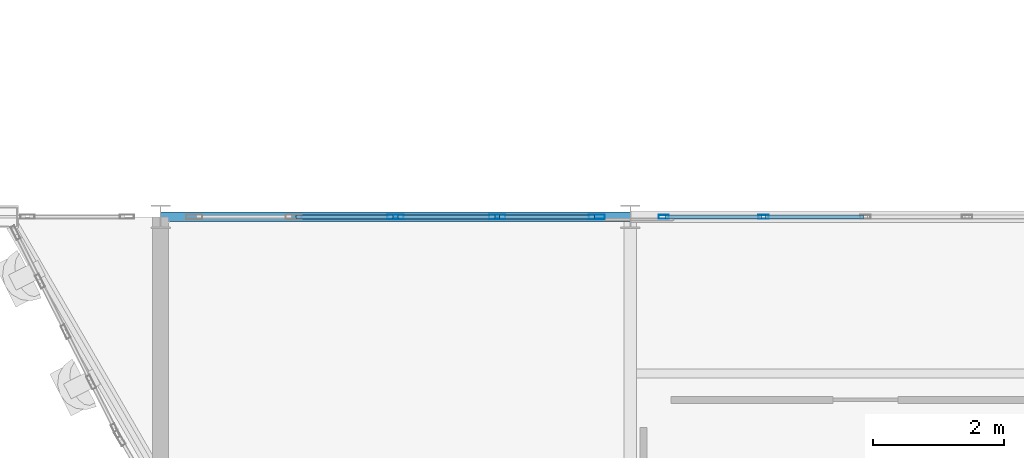
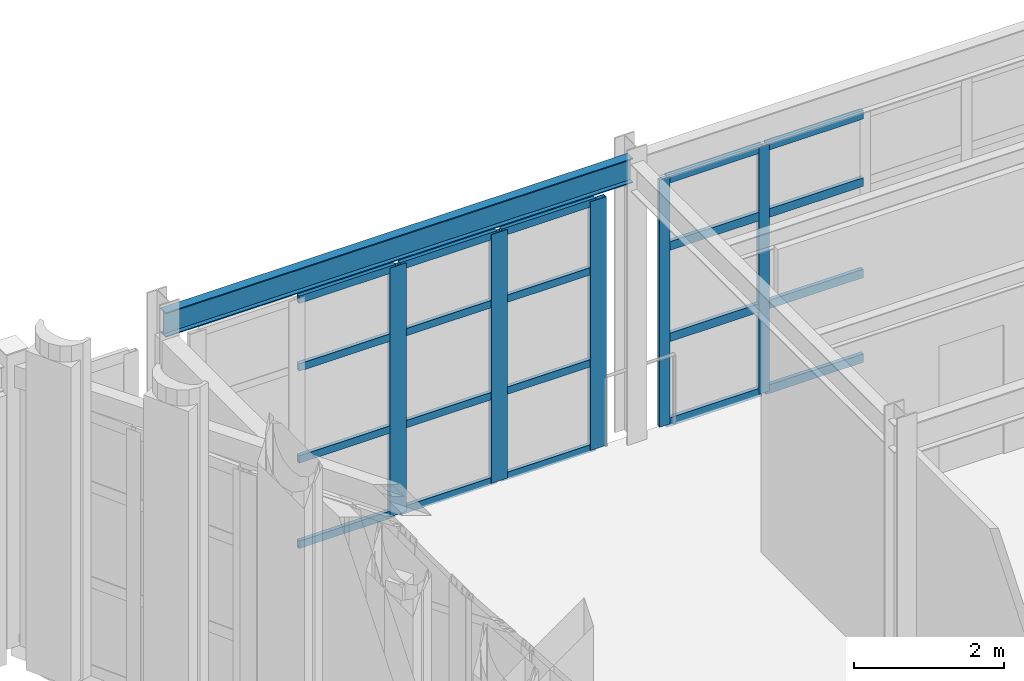
# One storey, part 30 of 126: 25 members, 1 beam, 2 elements without a shape of their own.
"""IFC4 building model written with IfcOpenShell, lengths in metres."""

from ifc_helpers import new_model, si_unit, direction, frame, origin, origin_2d, place, context, subcontext, project, spatial, hollow_rectangle, i_section, extrude, material, layer, layer_set, material_profile, profile_set, type_object, element, aggregate, save


model = new_model("IFC4")

# Units and contexts
model_context = context("Model", 3, precision=1e-05, world=origin(), true_north=direction((0.0, 1.0)))
body_context = subcontext(model_context, "Body", "Model", "MODEL_VIEW")
ifc_project = project(units=[si_unit("LENGTHUNIT", "METRE"), si_unit("AREAUNIT", "SQUARE_METRE"), si_unit("VOLUMEUNIT", "CUBIC_METRE"), si_unit("PLANEANGLEUNIT", "RADIAN"), si_unit("MASSUNIT", "GRAM", prefix="KILO")], contexts=[model_context])

# Site, building, storey
site_placement = place(None, origin())
site = spatial("IfcSite", under=ifc_project, at=site_placement, CompositionType="ELEMENT")
building_placement = place(site_placement, origin())
building = spatial("IfcBuilding", under=site, at=building_placement, Name="Solvadek Multi-Sports Hall", CompositionType="ELEMENT")
storey_placement = place(building_placement, frame((0.0, 0.0, 9.60009765625)))
storey = spatial("IfcBuildingStorey", under=building, at=storey_placement, Name="L02", CompositionType="ELEMENT", Elevation=9.60009765625)

# Curtain wall, members
ifc_material_1 = material(Name="Anodised aluminium", Category="aluminium")
ifc_layer_1 = layer(ifc_material_1, 0.159912109375, Name="Anodised aluminium")
ifc_layer_set_1 = layer_set([ifc_layer_1], Name="Anodised aluminium")
curtain_wall_type_1 = type_object("IfcCurtainWallType", Name="ENV-CW-624X403", PredefinedType="USERDEFINED", material=ifc_layer_set_1)
curtain_wall_1_placement = place(storey_placement, origin())
curtain_wall_1 = element("IfcCurtainWall", 1, at=curtain_wall_1_placement, inside=storey, type_object=curtain_wall_type_1, Name="L02 Perimeter Bay Curtain Wall #165", ObjectType="CURTAIN WALL", PredefinedType="USERDEFINED")
ifc_material_profile_1 = material_profile(ifc_material_1, hollow_rectangle(XDim=0.06005859375, YDim=0.159912109375, WallThickness=0.00390625, at=origin_2d()), Name="ALU-M 160x60x4")
ifc_profile_set_1 = profile_set([ifc_material_profile_1], Name="Anodised aluminium")
member_type_1 = type_object("IfcMemberType", Name="ENV-CWM-01", PredefinedType="MULLION", material=ifc_profile_set_1)
member_1_placement = place(storey_placement, frame((36.510009765625, 20.39990234375, 0.0), z_axis=(0.0, 0.0, 1.0), x_axis=(0.0, 1.0, 0.0)))
member_1 = element("IfcMember", 2, at=member_1_placement, type_object=member_type_1, Name="CW-43 mullion 1", PredefinedType="MULLION", context=body_context, shape_type="SweptSolid", body=[
    extrude(hollow_rectangle(XDim=0.06005859375, YDim=0.159912109375, WallThickness=0.00390625, at=origin_2d()), origin(), (0.0, 0.0, 1.0), 4.02490234375),
])
member_2_placement = place(storey_placement, frame((38.0400390625, 20.39990234375, 0.0), z_axis=(0.0, 0.0, 1.0), x_axis=(0.0, 1.0, 0.0)))
member_2 = element("IfcMember", 3, at=member_2_placement, type_object=member_type_1, Name="CW-43 mullion 2", PredefinedType="MULLION", context=body_context, shape_type="SweptSolid", body=[
    extrude(hollow_rectangle(XDim=0.06005859375, YDim=0.159912109375, WallThickness=0.00390625, at=origin_2d()), origin(), (0.0, 0.0, 1.0), 4.02490234375),
])

ifc_layer_2 = layer(ifc_material_1, 0.159912109375, Name="Anodised aluminium")
ifc_layer_set_2 = layer_set([ifc_layer_2], Name="Anodised aluminium")
curtain_wall_type_2 = type_object("IfcCurtainWallType", Name="ENV-CW-624X405", PredefinedType="USERDEFINED", material=ifc_layer_set_2)
curtain_wall_2_placement = place(storey_placement, origin())
curtain_wall_2 = element("IfcCurtainWall", 4, at=curtain_wall_2_placement, inside=storey, type_object=curtain_wall_type_2, Name="L02 Perimeter Bay Curtain Wall #160", ObjectType="CURTAIN WALL", PredefinedType="USERDEFINED")
ifc_material_profile_2 = material_profile(ifc_material_1, hollow_rectangle(XDim=0.070068359375, YDim=0.25, WallThickness=0.0048828125, at=origin_2d()), Name="ALU-M 250x70x5")
ifc_profile_set_2 = profile_set([ifc_material_profile_2], Name="Anodised aluminium")
member_type_2 = type_object("IfcMemberType", Name="ENV-CWM-05", PredefinedType="MULLION", material=ifc_profile_set_2)
member_3_placement = place(storey_placement, frame((32.39990234375, 20.39990234375, 0.0), z_axis=(0.0, 0.0, 1.0), x_axis=(0.0, 1.0, 0.0)))
member_3 = element("IfcMember", 5, at=member_3_placement, type_object=member_type_2, Name="CW-52 mullion 3", PredefinedType="MULLION", context=body_context, shape_type="SweptSolid", body=[
    extrude(hollow_rectangle(XDim=0.070068359375, YDim=0.25, WallThickness=0.0048828125, at=origin_2d()), origin(), (0.0, 0.0, 1.0), 4.0498046875),
])
member_4_placement = place(storey_placement, frame((33.9599609375, 20.39990234375, 0.0), z_axis=(0.0, 0.0, 1.0), x_axis=(0.0, 1.0, 0.0)))
member_4 = element("IfcMember", 6, at=member_4_placement, type_object=member_type_2, Name="CW-52 mullion 4", PredefinedType="MULLION", context=body_context, shape_type="SweptSolid", body=[
    extrude(hollow_rectangle(XDim=0.070068359375, YDim=0.25, WallThickness=0.0048828125, at=origin_2d()), origin(), (0.0, 0.0, 1.0), 4.0498046875),
])
member_5_placement = place(storey_placement, frame((35.485107421875, 20.39990234375, 0.0), z_axis=(0.0, 0.0, 1.0), x_axis=(0.0, 1.0, 0.0)))
member_5 = element("IfcMember", 7, at=member_5_placement, type_object=member_type_2, Name="CW-52 mullion 5", PredefinedType="MULLION", context=body_context, shape_type="SweptSolid", body=[
    extrude(hollow_rectangle(XDim=0.070068359375, YDim=0.25, WallThickness=0.0048828125, at=origin_2d()), origin(), (0.0, 0.0, 1.0), 4.0498046875),
])
ifc_material_profile_3 = material_profile(ifc_material_1, hollow_rectangle(XDim=0.06005859375, YDim=0.1201171875, WallThickness=0.00390625, at=origin_2d()), Name="ALU-T 120x60x4")
ifc_profile_set_3 = profile_set([ifc_material_profile_3], Name="Anodised aluminium")
member_type_3 = type_object("IfcMemberType", Name="ENV-CWT-01", PredefinedType="USERDEFINED", material=ifc_profile_set_3)
member_6_placement = place(storey_placement, frame((30.875, 20.39990234375, 0.02978515625), z_axis=(1.0, 0.0, 0.0), x_axis=(0.0, 1.0, 0.0)))
member_6 = element("IfcMember", 8, at=member_6_placement, type_object=member_type_3, Name="CW-52 transom 2.1", ObjectType="TRANSOM", PredefinedType="USERDEFINED", context=body_context, shape_type="SweptSolid", body=[
    extrude(hollow_rectangle(XDim=0.06005859375, YDim=0.1201171875, WallThickness=0.00390625, at=origin_2d()), origin(), (0.0, 0.0, 1.0), 1.489990234375),
])
member_7_placement = place(storey_placement, frame((30.875, 20.39990234375, 1.41796875), z_axis=(1.0, 0.0, 0.0), x_axis=(0.0, 1.0, 0.0)))
member_7 = element("IfcMember", 9, at=member_7_placement, type_object=member_type_3, Name="CW-52 transom 2.2", ObjectType="TRANSOM", PredefinedType="USERDEFINED", context=body_context, shape_type="SweptSolid", body=[
    extrude(hollow_rectangle(XDim=0.06005859375, YDim=0.1201171875, WallThickness=0.00390625, at=origin_2d()), origin(), (0.0, 0.0, 1.0), 1.489990234375),
])
member_8_placement = place(storey_placement, frame((30.875, 20.39990234375, 2.916015625), z_axis=(1.0, 0.0, 0.0), x_axis=(0.0, 1.0, 0.0)))
member_8 = element("IfcMember", 10, at=member_8_placement, type_object=member_type_3, Name="CW-52 transom 2.3", ObjectType="TRANSOM", PredefinedType="USERDEFINED", context=body_context, shape_type="SweptSolid", body=[
    extrude(hollow_rectangle(XDim=0.06005859375, YDim=0.1201171875, WallThickness=0.00390625, at=origin_2d()), origin(), (0.0, 0.0, 1.0), 1.489990234375),
])
member_9_placement = place(storey_placement, frame((30.875, 20.39990234375, 4.02001953125), z_axis=(1.0, 0.0, 0.0), x_axis=(0.0, 1.0, 0.0)))
member_9 = element("IfcMember", 11, at=member_9_placement, type_object=member_type_3, Name="CW-52 transom 2.4", ObjectType="TRANSOM", PredefinedType="USERDEFINED", context=body_context, shape_type="SweptSolid", body=[
    extrude(hollow_rectangle(XDim=0.06005859375, YDim=0.1201171875, WallThickness=0.00390625, at=origin_2d()), origin(), (0.0, 0.0, 1.0), 1.489990234375),
])
member_10_placement = place(storey_placement, frame((32.43505859375, 20.39990234375, 0.02978515625), z_axis=(1.0, 0.0, 0.0), x_axis=(0.0, 1.0, 0.0)))
member_10 = element("IfcMember", 12, at=member_10_placement, type_object=member_type_3, Name="CW-52 transom 3.1", ObjectType="TRANSOM", PredefinedType="USERDEFINED", context=body_context, shape_type="SweptSolid", body=[
    extrude(hollow_rectangle(XDim=0.06005859375, YDim=0.1201171875, WallThickness=0.00390625, at=origin_2d()), origin(), (0.0, 0.0, 1.0), 1.489990234375),
])
member_11_placement = place(storey_placement, frame((32.43505859375, 20.39990234375, 1.41796875), z_axis=(1.0, 0.0, 0.0), x_axis=(0.0, 1.0, 0.0)))
member_11 = element("IfcMember", 13, at=member_11_placement, type_object=member_type_3, Name="CW-52 transom 3.2", ObjectType="TRANSOM", PredefinedType="USERDEFINED", context=body_context, shape_type="SweptSolid", body=[
    extrude(hollow_rectangle(XDim=0.06005859375, YDim=0.1201171875, WallThickness=0.00390625, at=origin_2d()), origin(), (0.0, 0.0, 1.0), 1.489990234375),
])
member_12_placement = place(storey_placement, frame((32.43505859375, 20.39990234375, 2.916015625), z_axis=(1.0, 0.0, 0.0), x_axis=(0.0, 1.0, 0.0)))
member_12 = element("IfcMember", 14, at=member_12_placement, type_object=member_type_3, Name="CW-52 transom 3.3", ObjectType="TRANSOM", PredefinedType="USERDEFINED", context=body_context, shape_type="SweptSolid", body=[
    extrude(hollow_rectangle(XDim=0.06005859375, YDim=0.1201171875, WallThickness=0.00390625, at=origin_2d()), origin(), (0.0, 0.0, 1.0), 1.489990234375),
])
member_13_placement = place(storey_placement, frame((32.43505859375, 20.39990234375, 4.02001953125), z_axis=(1.0, 0.0, 0.0), x_axis=(0.0, 1.0, 0.0)))
member_13 = element("IfcMember", 15, at=member_13_placement, type_object=member_type_3, Name="CW-52 transom 3.4", ObjectType="TRANSOM", PredefinedType="USERDEFINED", context=body_context, shape_type="SweptSolid", body=[
    extrude(hollow_rectangle(XDim=0.06005859375, YDim=0.1201171875, WallThickness=0.00390625, at=origin_2d()), origin(), (0.0, 0.0, 1.0), 1.489990234375),
])
member_14_placement = place(storey_placement, frame((33.9951171875, 20.39990234375, 0.02978515625), z_axis=(1.0, 0.0, 0.0), x_axis=(0.0, 1.0, 0.0)))
member_14 = element("IfcMember", 16, at=member_14_placement, type_object=member_type_3, Name="CW-52 transom 4.1", ObjectType="TRANSOM", PredefinedType="USERDEFINED", context=body_context, shape_type="SweptSolid", body=[
    extrude(hollow_rectangle(XDim=0.06005859375, YDim=0.1201171875, WallThickness=0.00390625, at=origin_2d()), origin(), (0.0, 0.0, 1.0), 1.454833984375),
])
member_15_placement = place(storey_placement, frame((33.9951171875, 20.39990234375, 1.41796875), z_axis=(1.0, 0.0, 0.0), x_axis=(0.0, 1.0, 0.0)))
member_15 = element("IfcMember", 17, at=member_15_placement, type_object=member_type_3, Name="CW-52 transom 4.2", ObjectType="TRANSOM", PredefinedType="USERDEFINED", context=body_context, shape_type="SweptSolid", body=[
    extrude(hollow_rectangle(XDim=0.06005859375, YDim=0.1201171875, WallThickness=0.00390625, at=origin_2d()), origin(), (0.0, 0.0, 1.0), 1.454833984375),
])
member_16_placement = place(storey_placement, frame((33.9951171875, 20.39990234375, 2.916015625), z_axis=(1.0, 0.0, 0.0), x_axis=(0.0, 1.0, 0.0)))
member_16 = element("IfcMember", 18, at=member_16_placement, type_object=member_type_3, Name="CW-52 transom 4.3", ObjectType="TRANSOM", PredefinedType="USERDEFINED", context=body_context, shape_type="SweptSolid", body=[
    extrude(hollow_rectangle(XDim=0.06005859375, YDim=0.1201171875, WallThickness=0.00390625, at=origin_2d()), origin(), (0.0, 0.0, 1.0), 1.454833984375),
])
member_17_placement = place(storey_placement, frame((33.9951171875, 20.39990234375, 4.02001953125), z_axis=(1.0, 0.0, 0.0), x_axis=(0.0, 1.0, 0.0)))
member_17 = element("IfcMember", 19, at=member_17_placement, type_object=member_type_3, Name="CW-52 transom 4.4", ObjectType="TRANSOM", PredefinedType="USERDEFINED", context=body_context, shape_type="SweptSolid", body=[
    extrude(hollow_rectangle(XDim=0.06005859375, YDim=0.1201171875, WallThickness=0.00390625, at=origin_2d()), origin(), (0.0, 0.0, 1.0), 1.454833984375),
])
aggregate(curtain_wall_2, [member_3, member_4, member_5, member_6, member_7, member_8, member_9, member_10, member_11, member_12, member_13, member_14, member_15, member_16, member_17])

# Member
ifc_material_profile_4 = material_profile(ifc_material_1, hollow_rectangle(XDim=0.06005859375, YDim=0.139892578125, WallThickness=0.00390625, at=origin_2d()), Name="ALU-T 140x60x4")
ifc_profile_set_4 = profile_set([ifc_material_profile_4], Name="Anodised aluminium")
member_type_4 = type_object("IfcMemberType", Name="ENV-CWT-02", PredefinedType="USERDEFINED", material=ifc_profile_set_4)
member_18_placement = place(storey_placement, frame((36.5400390625, 20.39990234375, 0.02978515625), z_axis=(1.0, 0.0, 0.0), x_axis=(0.0, 1.0, 0.0)))
member_18 = element("IfcMember", 20, at=member_18_placement, type_object=member_type_4, Name="CW-43 transom 1.1", ObjectType="TRANSOM", PredefinedType="USERDEFINED", context=body_context, shape_type="SweptSolid", body=[
    extrude(hollow_rectangle(XDim=0.06005859375, YDim=0.139892578125, WallThickness=0.00390625, at=origin_2d()), origin(), (0.0, 0.0, 1.0), 1.469970703125),
])

member_19_placement = place(storey_placement, frame((36.5400390625, 20.39990234375, 1.408935546875), z_axis=(1.0, 0.0, 0.0), x_axis=(0.0, 1.0, 0.0)))
member_19 = element("IfcMember", 21, at=member_19_placement, type_object=member_type_4, Name="CW-43 transom 1.2", ObjectType="TRANSOM", PredefinedType="USERDEFINED", context=body_context, shape_type="SweptSolid", body=[
    extrude(hollow_rectangle(XDim=0.06005859375, YDim=0.139892578125, WallThickness=0.00390625, at=origin_2d()), origin(), (0.0, 0.0, 1.0), 1.469970703125),
])

member_20_placement = place(storey_placement, frame((36.5400390625, 20.39990234375, 2.89794921875), z_axis=(1.0, 0.0, 0.0), x_axis=(0.0, 1.0, 0.0)))
member_20 = element("IfcMember", 22, at=member_20_placement, type_object=member_type_4, Name="CW-43 transom 1.3", ObjectType="TRANSOM", PredefinedType="USERDEFINED", context=body_context, shape_type="SweptSolid", body=[
    extrude(hollow_rectangle(XDim=0.06005859375, YDim=0.139892578125, WallThickness=0.00390625, at=origin_2d()), origin(), (0.0, 0.0, 1.0), 1.469970703125),
])

member_21_placement = place(storey_placement, frame((36.5400390625, 20.39990234375, 3.994873046875), z_axis=(1.0, 0.0, 0.0), x_axis=(0.0, 1.0, 0.0)))
member_21 = element("IfcMember", 23, at=member_21_placement, type_object=member_type_4, Name="CW-43 transom 1.4", ObjectType="TRANSOM", PredefinedType="USERDEFINED", context=body_context, shape_type="SweptSolid", body=[
    extrude(hollow_rectangle(XDim=0.06005859375, YDim=0.139892578125, WallThickness=0.00390625, at=origin_2d()), origin(), (0.0, 0.0, 1.0), 1.469970703125),
])

member_22_placement = place(storey_placement, frame((38.070068359375, 20.39990234375, 0.02978515625), z_axis=(1.0, 0.0, 0.0), x_axis=(0.0, 1.0, 0.0)))
member_22 = element("IfcMember", 24, at=member_22_placement, type_object=member_type_4, Name="CW-43 transom 2.1", ObjectType="TRANSOM", PredefinedType="USERDEFINED", context=body_context, shape_type="SweptSolid", body=[
    extrude(hollow_rectangle(XDim=0.06005859375, YDim=0.139892578125, WallThickness=0.00390625, at=origin_2d()), origin(), (0.0, 0.0, 1.0), 1.5),
])

member_23_placement = place(storey_placement, frame((38.070068359375, 20.39990234375, 1.408935546875), z_axis=(1.0, 0.0, 0.0), x_axis=(0.0, 1.0, 0.0)))
member_23 = element("IfcMember", 25, at=member_23_placement, type_object=member_type_4, Name="CW-43 transom 2.2", ObjectType="TRANSOM", PredefinedType="USERDEFINED", context=body_context, shape_type="SweptSolid", body=[
    extrude(hollow_rectangle(XDim=0.06005859375, YDim=0.139892578125, WallThickness=0.00390625, at=origin_2d()), origin(), (0.0, 0.0, 1.0), 1.5),
])

member_24_placement = place(storey_placement, frame((38.070068359375, 20.39990234375, 2.89794921875), z_axis=(1.0, 0.0, 0.0), x_axis=(0.0, 1.0, 0.0)))
member_24 = element("IfcMember", 26, at=member_24_placement, type_object=member_type_4, Name="CW-43 transom 2.3", ObjectType="TRANSOM", PredefinedType="USERDEFINED", context=body_context, shape_type="SweptSolid", body=[
    extrude(hollow_rectangle(XDim=0.06005859375, YDim=0.139892578125, WallThickness=0.00390625, at=origin_2d()), origin(), (0.0, 0.0, 1.0), 1.5),
])

member_25_placement = place(storey_placement, frame((38.070068359375, 20.39990234375, 3.994873046875), z_axis=(1.0, 0.0, 0.0), x_axis=(0.0, 1.0, 0.0)))
member_25 = element("IfcMember", 27, at=member_25_placement, type_object=member_type_4, Name="CW-43 transom 2.4", ObjectType="TRANSOM", PredefinedType="USERDEFINED", context=body_context, shape_type="SweptSolid", body=[
    extrude(hollow_rectangle(XDim=0.06005859375, YDim=0.139892578125, WallThickness=0.00390625, at=origin_2d()), origin(), (0.0, 0.0, 1.0), 1.5),
])

aggregate(curtain_wall_1, [member_1, member_2, member_18, member_19, member_20, member_21, member_22, member_23, member_24, member_25])

# Beam
ifc_material_2 = material(Name="Steel E350 (350 MPa)", Category="steel")
ifc_material_profile_5 = material_profile(ifc_material_2, i_section(OverallWidth=0.139892578125, OverallDepth=0.39990234375, WebThickness=0.0087890625, FlangeThickness=0.01611328125, at=origin_2d()), Name="ISMB 400")
ifc_profile_set_5 = profile_set([ifc_material_profile_5], Name="Steel E350 (350 MPa)")
beam_type = type_object("IfcBeamType", Name="STR-BM-ISMB400", PredefinedType="BEAM", material=ifc_profile_set_5)
beam_placement = place(storey_placement, frame((28.800048828125, 20.39990234375, 4.35986328125), z_axis=(1.0, 0.0, 0.0), x_axis=(0.0, 1.0, 0.0)))
element("IfcBeam", 28, at=beam_placement, inside=storey, type_object=beam_type, Name="L02 Girder B-10 #1330", PredefinedType="BEAM", context=body_context, shape_type="SweptSolid", body=[
    extrude(i_section(OverallWidth=0.139892578125, OverallDepth=0.39990234375, WebThickness=0.0087890625, FlangeThickness=0.01611328125, at=origin_2d()), origin(), (0.0, 0.0, 1.0), 7.199951171875),
])

save(model, "model.ifc")
